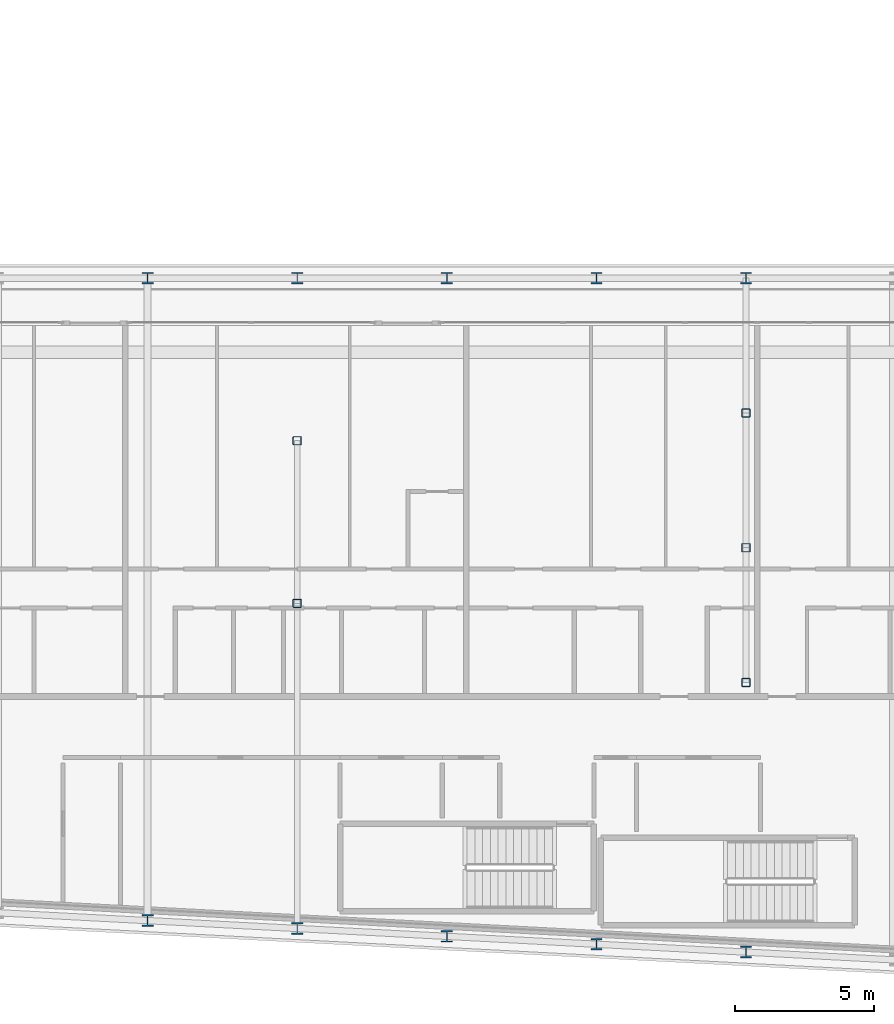
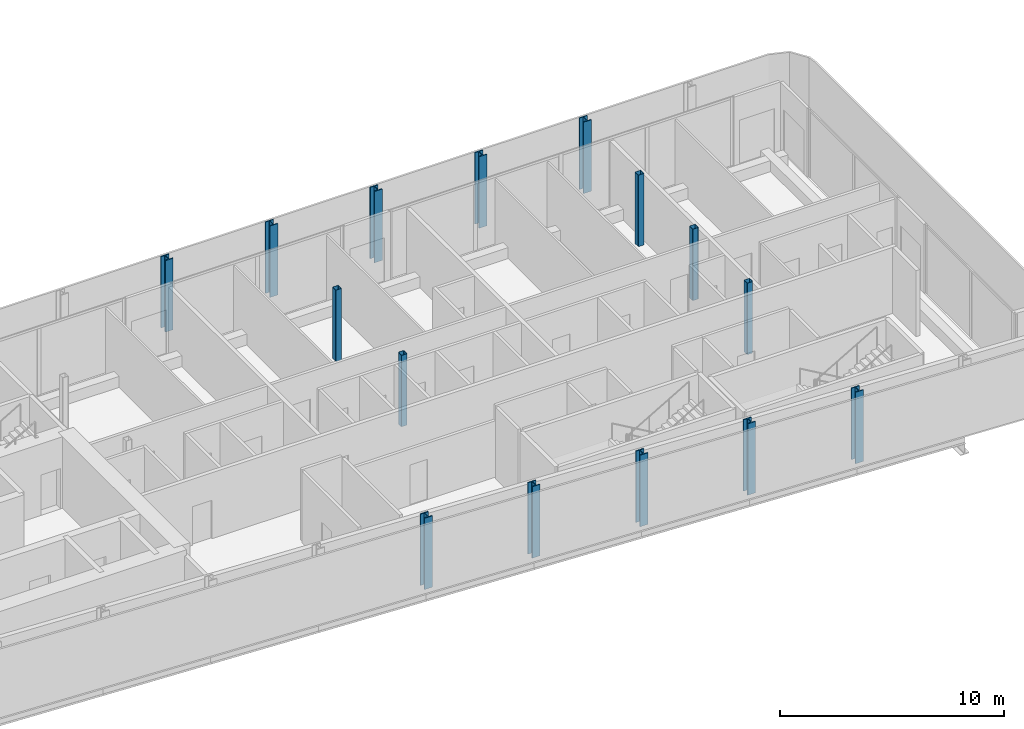
# One storey, part 2 of 29: 15 columns.
"""IFC4 building model written with IfcOpenShell, lengths in metres."""

from ifc_helpers import new_model, si_unit, direction, frame, origin, origin_2d, place, context, subcontext, project, spatial, hollow_rectangle, i_section, extrude, material, material_profile, profile_set, type_object, element, save


model = new_model("IFC4")

# Units and contexts
model_context = context("Model", 3, precision=1e-05, world=origin(), true_north=direction((0.0, 1.0)))
body_context = subcontext(model_context, "Body", "Model", "MODEL_VIEW")
ifc_project = project(units=[si_unit("LENGTHUNIT", "METRE"), si_unit("AREAUNIT", "SQUARE_METRE"), si_unit("VOLUMEUNIT", "CUBIC_METRE"), si_unit("PLANEANGLEUNIT", "RADIAN"), si_unit("MASSUNIT", "GRAM", prefix="KILO")], contexts=[model_context])

# Site, building, storey
site_placement = place(None, origin())
site = spatial("IfcSite", under=ifc_project, at=site_placement, CompositionType="ELEMENT")
building_placement = place(site_placement, origin())
building = spatial("IfcBuilding", under=site, at=building_placement, Name="Kheshtan School and Residences Tower", CompositionType="ELEMENT")
storey_placement = place(building_placement, frame((0.0, 0.0, 168.199951171875)))
storey = spatial("IfcBuildingStorey", under=building, at=storey_placement, Name="L39", CompositionType="ELEMENT", Elevation=168.199951171875)

# Columns
ifc_material_1 = material(Name="Steel ASTM A992 Grade 50", Category="steel")
ifc_material_profile_1 = material_profile(ifc_material_1, i_section(OverallWidth=0.408935546875, OverallDepth=0.425048828125, WebThickness=0.03271484375, FlangeThickness=0.052490234375, FilletRadius=0.0126953125, at=origin_2d()), Name="W360x421")
ifc_profile_set_1 = profile_set([ifc_material_profile_1], Name="Steel ASTM A992 Grade 50")
column_type_1 = type_object("IfcColumnType", Name="Column C3 W360x421 ASTM A992 Grade 50", PredefinedType="COLUMN", material=ifc_profile_set_1)
for number, where, z_axis, x_axis, name in (
    (1, (85.39990234375, 21.27392578125, 0.0), (0.0, 0.0, 1.0), (1.0, 0.0, 0.0), "Column C008"),
    (2, (80.0, 21.55810546875, 0.0), (0.0, 0.0, 1.0), (1.0, 0.0, 0.0), "Column C012"),
    (3, (74.60009765625, 21.843017578125, 0.0), (0.0, 0.0, 1.0), (1.0, 0.0, 0.0), "Column C013"),
    (4, (69.199951171875, 22.126953125, 0.0), (0.0, 0.0, 1.0), (1.0, 0.0, 0.0), "Column C014"),
    (5, (63.800048828125, 22.410888671875, 0.0), (0.0, 0.0, 1.0), (1.0, 0.0, 0.0), "Column C016"),
    (6, (63.800048828125, 45.60009765625, 0.0), (0.0, 0.0, 1.0), (1.0, 0.0, 0.0), "Column C063"),
    (7, (69.199951171875, 45.60009765625, 0.0), (0.0, 0.0, 1.0), (1.0, 0.0, 0.0), "Column C064"),
    (8, (74.60009765625, 45.60009765625, 0.0), (0.0, 0.0, 1.0), (1.0, 0.0, 0.0), "Column C065"),
    (9, (80.0, 45.60009765625, 0.0), (0.0, 0.0, 1.0), (1.0, 0.0, 0.0), "Column C066"),
    (10, (85.39990234375, 45.60009765625, 0.0), (0.0, 0.0, 1.0), (1.0, 0.0, 0.0), "Column C067"),
):
    element("IfcColumn", number, at=place(storey_placement, frame(where, z_axis=z_axis, x_axis=x_axis)), inside=storey, type_object=column_type_1, Name=name, PredefinedType="COLUMN", context=body_context, shape_type="SweptSolid", body=[
        extrude(i_section(OverallWidth=0.408935546875, OverallDepth=0.425048828125, WebThickness=0.03271484375, FlangeThickness=0.052490234375, FilletRadius=0.0126953125, at=origin_2d()), origin(), (0.0, 0.0, 1.0), 3.900146484375),
    ])
ifc_material_2 = material(Name="Steel ASTM A500 Grade C", Category="steel")
ifc_material_profile_2 = material_profile(ifc_material_2, hollow_rectangle(XDim=0.304931640625, YDim=0.304931640625, WallThickness=0.015869140625, InnerFilletRadius=0.015869140625, OuterFilletRadius=0.03173828125, at=origin_2d()), Name="HSS 305x305x15.9")
ifc_profile_set_2 = profile_set([ifc_material_profile_2], Name="Steel ASTM A500 Grade C")
column_type_2 = type_object("IfcColumnType", Name="Column IC2 HSS 305x305x15.9 ASTM A500 Grade C", PredefinedType="COLUMN", material=ifc_profile_set_2)
for number, where, z_axis, x_axis, name in (
    (11, (85.39990234375, 31.0048828125, 0.0), (0.0, 0.0, 1.0), (1.0, 0.0, 0.0), "Column C049"),
    (12, (69.199951171875, 33.863037109375, 0.0), (0.0, 0.0, 1.0), (1.0, 0.0, 0.0), "Column C050"),
    (13, (85.39990234375, 35.8701171875, 0.0), (0.0, 0.0, 1.0), (1.0, 0.0, 0.0), "Column C053"),
    (14, (69.199951171875, 39.73193359375, 0.0), (0.0, 0.0, 1.0), (1.0, 0.0, 0.0), "Column C054"),
    (15, (85.39990234375, 40.735107421875, 0.0), (0.0, 0.0, 1.0), (1.0, 0.0, 0.0), "Column C057"),
):
    element("IfcColumn", number, at=place(storey_placement, frame(where, z_axis=z_axis, x_axis=x_axis)), inside=storey, type_object=column_type_2, Name=name, PredefinedType="COLUMN", context=body_context, shape_type="SweptSolid", body=[
        extrude(hollow_rectangle(XDim=0.304931640625, YDim=0.304931640625, WallThickness=0.015869140625, InnerFilletRadius=0.015869140625, OuterFilletRadius=0.03173828125, at=origin_2d()), origin(), (0.0, 0.0, 1.0), 3.900146484375),
    ])

save(model, "model.ifc")
